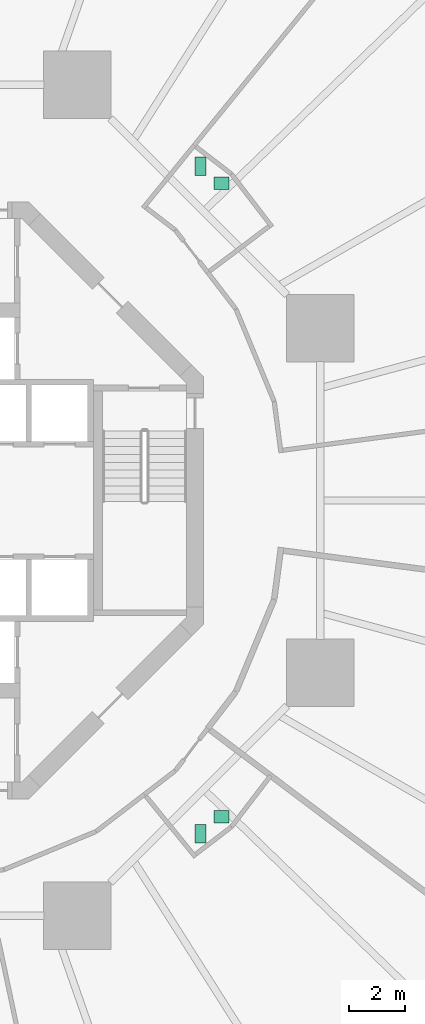
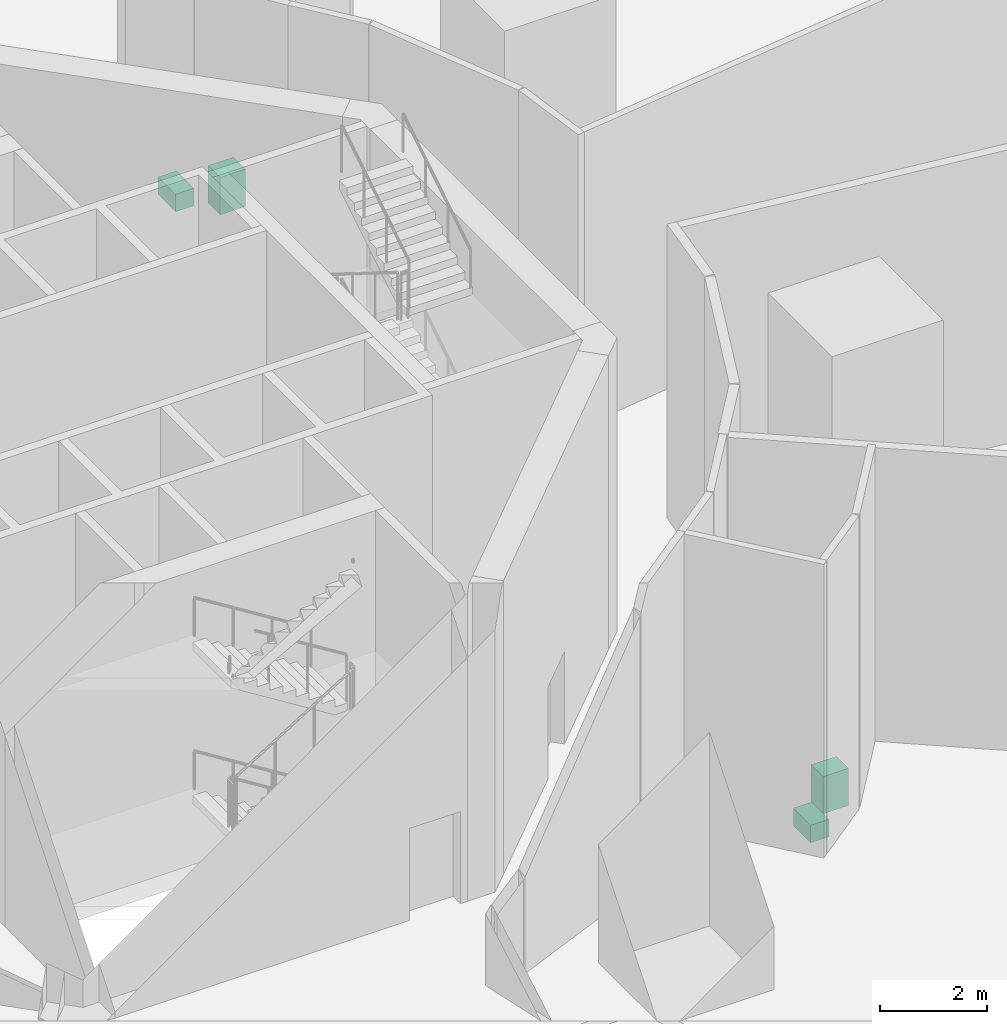
# One storey, part 67 of 67: 4 sanitary terminals.
"""IFC4 building model written with IfcOpenShell, lengths in metres."""

from ifc_helpers import new_model, si_unit, direction, frame, origin, origin_2d, place, context, subcontext, project, spatial, rectangle, extrude, material, type_object, element, save


model = new_model("IFC4")

# Units and contexts
model_context = context("Model", 3, precision=1e-05, world=origin(), true_north=direction((0.0, 1.0)))
body_context = subcontext(model_context, "Body", "Model", "MODEL_VIEW")
ifc_project = project(units=[si_unit("LENGTHUNIT", "METRE"), si_unit("AREAUNIT", "SQUARE_METRE"), si_unit("VOLUMEUNIT", "CUBIC_METRE"), si_unit("PLANEANGLEUNIT", "RADIAN"), si_unit("MASSUNIT", "GRAM", prefix="KILO")], contexts=[model_context])

# Site, building, storey
site_placement = place(None, origin())
site = spatial("IfcSite", under=ifc_project, at=site_placement, CompositionType="ELEMENT")
building_placement = place(site_placement, origin())
building = spatial("IfcBuilding", under=site, at=building_placement, Name="Nagisa Residences", CompositionType="ELEMENT")
storey_placement = place(building_placement, origin())
storey = spatial("IfcBuildingStorey", under=building, at=storey_placement, Name="L00", CompositionType="ELEMENT", Elevation=0.0)

# Sanitary terminals
ifc_material_1 = material(Name="Vitreous china")
sanitary_terminal_type_1 = type_object("IfcSanitaryTerminalType", Name="WC pan", PredefinedType="WCSEAT", material=ifc_material_1)
for number, where, z_axis, x_axis, name in (
    (1, (10.510986328125, 11.886962890625, 0.0), (0.0, 0.0, 1.0), (1.0, 0.0, 0.0), "fix:L00:r0t1p0:wc"),
    (2, (10.510986328125, -11.85791015625, 0.0), (0.0, 0.0, 1.0), (1.0, 0.0, 0.0), "fix:L00:r10t13p0:wc"),
):
    element("IfcSanitaryTerminal", number, at=place(storey_placement, frame(where, z_axis=z_axis, x_axis=x_axis)), inside=storey, type_object=sanitary_terminal_type_1, Name=name, PredefinedType="WCSEAT", context=body_context, shape_type="SweptSolid", body=[
        extrude(rectangle(XDim=0.39990234375, YDim=0.64990234375, at=origin_2d()), origin(), (0.0, 0.0, 1.0), 0.39990234375),
    ])
ifc_material_2 = material(Name="Vitreous china")
sanitary_terminal_type_2 = type_object("IfcSanitaryTerminalType", Name="Wash basin", PredefinedType="WASHHANDBASIN", material=ifc_material_2)
for number, where, z_axis, x_axis, name in (
    (3, (11.260986328125, 11.287109375, 0.0), (0.0, 0.0, 1.0), (1.0, 0.0, 0.0), "fix:L00:r0t1p0:basin"),
    (4, (11.260986328125, -11.258056640625, 0.0), (0.0, 0.0, 1.0), (1.0, 0.0, 0.0), "fix:L00:r10t13p0:basin"),
):
    element("IfcSanitaryTerminal", number, at=place(storey_placement, frame(where, z_axis=z_axis, x_axis=x_axis)), inside=storey, type_object=sanitary_terminal_type_2, Name=name, PredefinedType="WASHHANDBASIN", context=body_context, shape_type="SweptSolid", body=[
        extrude(rectangle(XDim=0.550048828125, YDim=0.449951171875, at=origin_2d()), origin(), (0.0, 0.0, 1.0), 0.85009765625),
    ])

save(model, "model.ifc")
